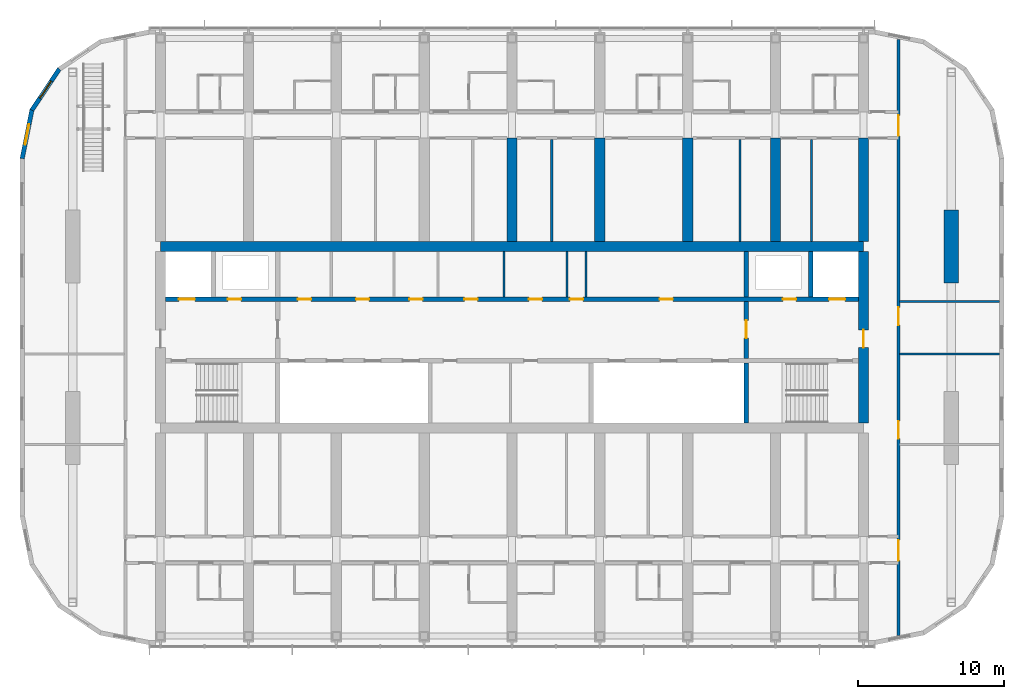
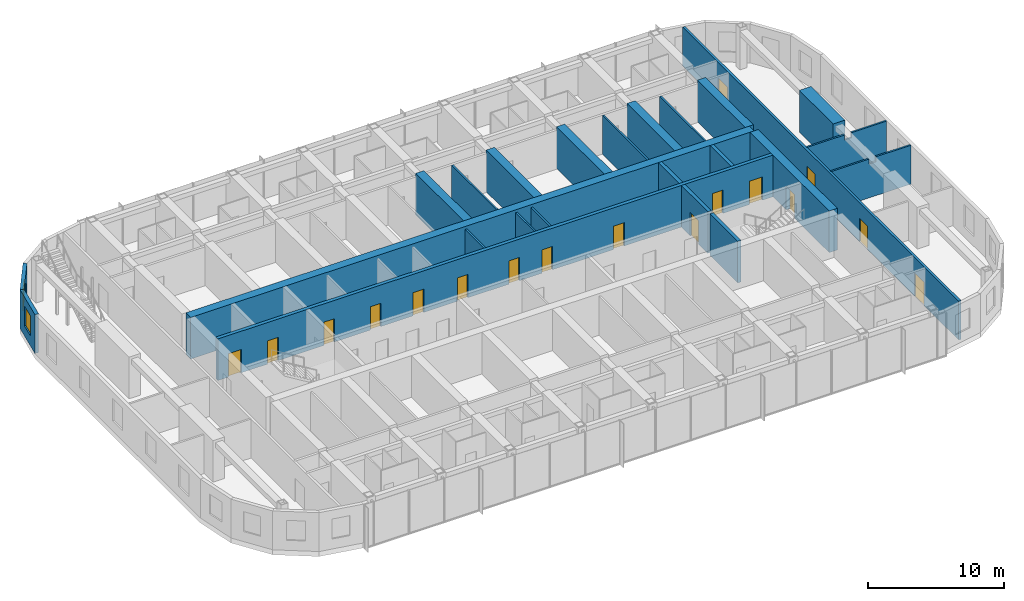
# One storey, part 16 of 26: 24 walls, 17 doors, 2 windows, 19 openings.
"""IFC4 building model written with IfcOpenShell, lengths in metres."""

from ifc_helpers import new_model, si_unit, direction, frame, frame_2d, origin, place, context, subcontext, project, spatial, polyline, rectangle, outline, extrude, material, layer, layer_set, type_object, element, fill, save


model = new_model("IFC4")

# Units and contexts
model_context = context("Model", 3, precision=1e-05, world=origin(), true_north=direction((0.0, 1.0)))
body_context = subcontext(model_context, "Body", "Model", "MODEL_VIEW")
ifc_project = project(units=[si_unit("LENGTHUNIT", "METRE"), si_unit("AREAUNIT", "SQUARE_METRE"), si_unit("VOLUMEUNIT", "CUBIC_METRE"), si_unit("PLANEANGLEUNIT", "RADIAN"), si_unit("MASSUNIT", "GRAM", prefix="KILO")], contexts=[model_context])

# Site, building, storey
site_placement = place(None, origin())
site = spatial("IfcSite", under=ifc_project, at=site_placement, CompositionType="ELEMENT")
building_placement = place(site_placement, origin())
building = spatial("IfcBuilding", under=site, at=building_placement, Name="Orbita Commons", CompositionType="ELEMENT")
storey_placement = place(building_placement, frame((0.0, 0.0, 231.550048828125)))
storey = spatial("IfcBuildingStorey", under=building, at=storey_placement, Name="L57", CompositionType="ELEMENT", Elevation=231.550048828125)

# Wall, openings, doors
ifc_material_1 = material(Name="Concrete C50/60", Category="concrete")
ifc_layer_1 = layer(ifc_material_1, 0.300048828125)
ifc_layer_set_1 = layer_set([ifc_layer_1], Name="Concrete C50/60")
wall_type_1 = type_object("IfcWallType", Name="Core inner wall 300 C50/60", PredefinedType="SHEAR", material=ifc_layer_set_1)
wall_1_placement = place(storey_placement, frame((18.35009765625, 34.60009765625, 0.0), z_axis=(0.0, 0.0, 1.0), x_axis=(1.0, 0.0, 0.0)))
wall_1 = element("IfcWall", 1, at=wall_1_placement, inside=storey, type_object=wall_type_1, Name="Lobby wall north L57", PredefinedType="SHEAR", context=body_context, shape_type="SweptSolid", body=[
    extrude(rectangle(XDim=47.2998046875, YDim=0.300048828125, at=frame_2d((23.64990234375, 0.0))), origin(), (0.0, 0.0, 1.0), 3.75),
])
opening_1_placement = place(wall_1_placement, frame((0.89990234375, 0.0, 0.0)))
opening_1 = element("IfcOpeningElement", 2, at=opening_1_placement, cuts=wall_1, Name="Opening LD01", PredefinedType="OPENING", context=body_context, shape_type="SweptSolid", body=[
    extrude(rectangle(XDim=1.10009765625, YDim=2.10009765625, at=frame_2d((0.550048828125, 1.050048828125))), frame((0.0, 0.159912109375, 0.0), z_axis=(0.0, -1.0, 0.0), x_axis=(1.0, 0.0, 0.0)), (0.0, 0.0, 1.0), 0.320068359375),
])
opening_2_placement = place(wall_1_placement, frame((45.300048828125, 0.0, 0.0)))
opening_2 = element("IfcOpeningElement", 3, at=opening_2_placement, cuts=wall_1, Name="Opening LD01", PredefinedType="OPENING", context=body_context, shape_type="SweptSolid", body=[
    extrude(rectangle(XDim=1.10009765625, YDim=2.10009765625, at=frame_2d((0.550048828125, 1.050048828125))), frame((0.0, 0.159912109375, 0.0), z_axis=(0.0, -1.0, 0.0), x_axis=(1.0, 0.0, 0.0)), (0.0, 0.0, 1.0), 0.320068359375),
])
opening_3_placement = place(wall_1_placement, frame((4.25, 0.0, 0.0)))
opening_3 = element("IfcOpeningElement", 4, at=opening_3_placement, cuts=wall_1, Name="Opening D03", PredefinedType="OPENING", context=body_context, shape_type="SweptSolid", body=[
    extrude(rectangle(XDim=0.89990234375, YDim=2.10009765625, at=frame_2d((0.449951171875, 1.050048828125))), frame((0.0, 0.159912109375, 0.0), z_axis=(0.0, -1.0, 0.0), x_axis=(1.0, 0.0, 0.0)), (0.0, 0.0, 1.0), 0.320068359375),
])
opening_4_placement = place(wall_1_placement, frame((42.14990234375, 0.0, 0.0)))
opening_4 = element("IfcOpeningElement", 5, at=opening_4_placement, cuts=wall_1, Name="Opening D03", PredefinedType="OPENING", context=body_context, shape_type="SweptSolid", body=[
    extrude(rectangle(XDim=0.89990234375, YDim=2.10009765625, at=frame_2d((0.449951171875, 1.050048828125))), frame((0.0, 0.159912109375, 0.0), z_axis=(0.0, -1.0, 0.0), x_axis=(1.0, 0.0, 0.0)), (0.0, 0.0, 1.0), 0.320068359375),
])
opening_5_placement = place(wall_1_placement, frame((9.025390625, 0.0, 0.0)))
opening_5 = element("IfcOpeningElement", 6, at=opening_5_placement, cuts=wall_1, Name="Opening D05", PredefinedType="OPENING", context=body_context, shape_type="SweptSolid", body=[
    extrude(rectangle(XDim=0.89990234375, YDim=2.10009765625, at=frame_2d((0.449951171875, 1.050048828125))), frame((0.0, 0.159912109375, 0.0), z_axis=(0.0, -1.0, 0.0), x_axis=(1.0, 0.0, 0.0)), (0.0, 0.0, 1.0), 0.320068359375),
])
opening_6_placement = place(wall_1_placement, frame((12.998779296875, 0.0, 0.0)))
opening_6 = element("IfcOpeningElement", 7, at=opening_6_placement, cuts=wall_1, Name="Opening D03", PredefinedType="OPENING", context=body_context, shape_type="SweptSolid", body=[
    extrude(rectangle(XDim=0.89990234375, YDim=2.10009765625, at=frame_2d((0.449951171875, 1.050048828125))), frame((0.0, 0.159912109375, 0.0), z_axis=(0.0, -1.0, 0.0), x_axis=(1.0, 0.0, 0.0)), (0.0, 0.0, 1.0), 0.320068359375),
])
opening_7_placement = place(wall_1_placement, frame((16.646240234375, 0.0, 0.0)))
opening_7 = element("IfcOpeningElement", 8, at=opening_7_placement, cuts=wall_1, Name="Opening D03", PredefinedType="OPENING", context=body_context, shape_type="SweptSolid", body=[
    extrude(rectangle(XDim=0.89990234375, YDim=2.10009765625, at=frame_2d((0.449951171875, 1.050048828125))), frame((0.0, 0.159912109375, 0.0), z_axis=(0.0, -1.0, 0.0), x_axis=(1.0, 0.0, 0.0)), (0.0, 0.0, 1.0), 0.320068359375),
])
opening_8_placement = place(wall_1_placement, frame((20.40478515625, 0.0, 0.0)))
opening_8 = element("IfcOpeningElement", 9, at=opening_8_placement, cuts=wall_1, Name="Opening D05", PredefinedType="OPENING", context=body_context, shape_type="SweptSolid", body=[
    extrude(rectangle(XDim=0.89990234375, YDim=2.10009765625, at=frame_2d((0.449951171875, 1.050048828125))), frame((0.0, 0.159912109375, 0.0), z_axis=(0.0, -1.0, 0.0), x_axis=(1.0, 0.0, 0.0)), (0.0, 0.0, 1.0), 0.320068359375),
])
opening_9_placement = place(wall_1_placement, frame((24.810791015625, 0.0, 0.0)))
opening_9 = element("IfcOpeningElement", 10, at=opening_9_placement, cuts=wall_1, Name="Opening D03", PredefinedType="OPENING", context=body_context, shape_type="SweptSolid", body=[
    extrude(rectangle(XDim=0.89990234375, YDim=2.10009765625, at=frame_2d((0.449951171875, 1.050048828125))), frame((0.0, 0.159912109375, 0.0), z_axis=(0.0, -1.0, 0.0), x_axis=(1.0, 0.0, 0.0)), (0.0, 0.0, 1.0), 0.320068359375),
])
opening_10_placement = place(wall_1_placement, frame((27.6083984375, 0.0, 0.0)))
opening_10 = element("IfcOpeningElement", 11, at=opening_10_placement, cuts=wall_1, Name="Opening D03", PredefinedType="OPENING", context=body_context, shape_type="SweptSolid", body=[
    extrude(rectangle(XDim=0.89990234375, YDim=2.10009765625, at=frame_2d((0.449951171875, 1.050048828125))), frame((0.0, 0.159912109375, 0.0), z_axis=(0.0, -1.0, 0.0), x_axis=(1.0, 0.0, 0.0)), (0.0, 0.0, 1.0), 0.320068359375),
])
opening_11_placement = place(wall_1_placement, frame((33.729248046875, 0.0, 0.0)))
opening_11 = element("IfcOpeningElement", 12, at=opening_11_placement, cuts=wall_1, Name="Opening D03", PredefinedType="OPENING", context=body_context, shape_type="SweptSolid", body=[
    extrude(rectangle(XDim=0.89990234375, YDim=2.10009765625, at=frame_2d((0.449951171875, 1.050048828125))), frame((0.0, 0.159912109375, 0.0), z_axis=(0.0, -1.0, 0.0), x_axis=(1.0, 0.0, 0.0)), (0.0, 0.0, 1.0), 0.320068359375),
])
ifc_material_2 = material(Name="Steel-faced fire door leaf", Category="steel")
door_type_1 = type_object("IfcDoorType", Name="Firefighting lift landing door 1100x2100", OperationType="DOUBLE_DOOR_SLIDING", PredefinedType="DOOR", material=ifc_material_2)
door_1_placement = place(opening_1_placement, origin())
door_1 = element("IfcDoor", 13, at=door_1_placement, inside=storey, type_object=door_type_1, Name="Firefighting lift FL1 landing door", OperationType="DOUBLE_DOOR_SLIDING", OverallHeight=2.10009765625, OverallWidth=1.10009765625, PredefinedType="DOOR", context=body_context, shape_type="SweptSolid", body=[
    extrude(rectangle(XDim=1.10009765625, YDim=2.10009765625, at=frame_2d((0.550048828125, 1.050048828125))), frame((0.0, 0.02490234375, 0.0), z_axis=(0.0, -1.0, 0.0), x_axis=(1.0, 0.0, 0.0)), (0.0, 0.0, 1.0), 0.050048828125),
])
fill(opening_1, door_1)
door_2_placement = place(opening_2_placement, origin())
door_2 = element("IfcDoor", 14, at=door_2_placement, inside=storey, type_object=door_type_1, Name="Firefighting lift FL2 landing door", OperationType="DOUBLE_DOOR_SLIDING", OverallHeight=2.10009765625, OverallWidth=1.10009765625, PredefinedType="DOOR", context=body_context, shape_type="SweptSolid", body=[
    extrude(rectangle(XDim=1.10009765625, YDim=2.10009765625, at=frame_2d((0.550048828125, 1.050048828125))), frame((0.0, 0.02490234375, 0.0), z_axis=(0.0, -1.0, 0.0), x_axis=(1.0, 0.0, 0.0)), (0.0, 0.0, 1.0), 0.050048828125),
])
fill(opening_2, door_2)
ifc_material_3 = material(Name="Steel-faced fire door leaf", Category="steel")
door_type_2 = type_object("IfcDoorType", Name="Service door 20 min 900x2100", OperationType="SINGLE_SWING_LEFT", PredefinedType="DOOR", material=ifc_material_3)
door_3_placement = place(opening_5_placement, origin())
door_3 = element("IfcDoor", 15, at=door_3_placement, inside=storey, type_object=door_type_2, Name="Staff WC door", OperationType="SINGLE_SWING_LEFT", OverallHeight=2.10009765625, OverallWidth=0.89990234375, PredefinedType="DOOR", context=body_context, shape_type="SweptSolid", body=[
    extrude(rectangle(XDim=0.89990234375, YDim=2.10009765625, at=frame_2d((0.449951171875, 1.050048828125))), frame((0.0, 0.02490234375, 0.0), z_axis=(0.0, -1.0, 0.0), x_axis=(1.0, 0.0, 0.0)), (0.0, 0.0, 1.0), 0.050048828125),
])
fill(opening_5, door_3)
door_4_placement = place(opening_8_placement, origin())
door_4 = element("IfcDoor", 16, at=door_4_placement, inside=storey, type_object=door_type_2, Name="Accessible WC door", OperationType="SINGLE_SWING_LEFT", OverallHeight=2.10009765625, OverallWidth=0.89990234375, PredefinedType="DOOR", context=body_context, shape_type="SweptSolid", body=[
    extrude(rectangle(XDim=0.89990234375, YDim=2.10009765625, at=frame_2d((0.449951171875, 1.050048828125))), frame((0.0, 0.02490234375, 0.0), z_axis=(0.0, -1.0, 0.0), x_axis=(1.0, 0.0, 0.0)), (0.0, 0.0, 1.0), 0.050048828125),
])
fill(opening_8, door_4)
ifc_material_4 = material(Name="Steel-faced fire door leaf", Category="steel")
door_type_3 = type_object("IfcDoorType", Name="Shaft access door 90 min 900x2100", OperationType="SINGLE_SWING_LEFT", PredefinedType="DOOR", material=ifc_material_4)
door_5_placement = place(opening_3_placement, origin())
door_5 = element("IfcDoor", 17, at=door_5_placement, inside=storey, type_object=door_type_3, Name="Riser door west", OperationType="SINGLE_SWING_LEFT", OverallHeight=2.10009765625, OverallWidth=0.89990234375, PredefinedType="DOOR", context=body_context, shape_type="SweptSolid", body=[
    extrude(rectangle(XDim=0.89990234375, YDim=2.10009765625, at=frame_2d((0.449951171875, 1.050048828125))), frame((0.0, 0.02490234375, 0.0), z_axis=(0.0, -1.0, 0.0), x_axis=(1.0, 0.0, 0.0)), (0.0, 0.0, 1.0), 0.050048828125),
])
fill(opening_3, door_5)
door_6_placement = place(opening_4_placement, origin())
door_6 = element("IfcDoor", 18, at=door_6_placement, inside=storey, type_object=door_type_3, Name="Riser door east", OperationType="SINGLE_SWING_LEFT", OverallHeight=2.10009765625, OverallWidth=0.89990234375, PredefinedType="DOOR", context=body_context, shape_type="SweptSolid", body=[
    extrude(rectangle(XDim=0.89990234375, YDim=2.10009765625, at=frame_2d((0.449951171875, 1.050048828125))), frame((0.0, 0.02490234375, 0.0), z_axis=(0.0, -1.0, 0.0), x_axis=(1.0, 0.0, 0.0)), (0.0, 0.0, 1.0), 0.050048828125),
])
fill(opening_4, door_6)
door_7_placement = place(opening_6_placement, origin())
door_7 = element("IfcDoor", 19, at=door_7_placement, inside=storey, type_object=door_type_3, Name="Refuse chute room door", OperationType="SINGLE_SWING_LEFT", OverallHeight=2.10009765625, OverallWidth=0.89990234375, PredefinedType="DOOR", context=body_context, shape_type="SweptSolid", body=[
    extrude(rectangle(XDim=0.89990234375, YDim=2.10009765625, at=frame_2d((0.449951171875, 1.050048828125))), frame((0.0, 0.02490234375, 0.0), z_axis=(0.0, -1.0, 0.0), x_axis=(1.0, 0.0, 0.0)), (0.0, 0.0, 1.0), 0.050048828125),
])
fill(opening_6, door_7)
door_8_placement = place(opening_7_placement, origin())
door_8 = element("IfcDoor", 20, at=door_8_placement, inside=storey, type_object=door_type_3, Name="Electrical riser room door", OperationType="SINGLE_SWING_LEFT", OverallHeight=2.10009765625, OverallWidth=0.89990234375, PredefinedType="DOOR", context=body_context, shape_type="SweptSolid", body=[
    extrude(rectangle(XDim=0.89990234375, YDim=2.10009765625, at=frame_2d((0.449951171875, 1.050048828125))), frame((0.0, 0.02490234375, 0.0), z_axis=(0.0, -1.0, 0.0), x_axis=(1.0, 0.0, 0.0)), (0.0, 0.0, 1.0), 0.050048828125),
])
fill(opening_7, door_8)
door_9_placement = place(opening_9_placement, origin())
door_9 = element("IfcDoor", 21, at=door_9_placement, inside=storey, type_object=door_type_3, Name="Communications room door", OperationType="SINGLE_SWING_LEFT", OverallHeight=2.10009765625, OverallWidth=0.89990234375, PredefinedType="DOOR", context=body_context, shape_type="SweptSolid", body=[
    extrude(rectangle(XDim=0.89990234375, YDim=2.10009765625, at=frame_2d((0.449951171875, 1.050048828125))), frame((0.0, 0.02490234375, 0.0), z_axis=(0.0, -1.0, 0.0), x_axis=(1.0, 0.0, 0.0)), (0.0, 0.0, 1.0), 0.050048828125),
])
fill(opening_9, door_9)
door_10_placement = place(opening_10_placement, origin())
door_10 = element("IfcDoor", 22, at=door_10_placement, inside=storey, type_object=door_type_3, Name="Stair pressurisation duct door", OperationType="SINGLE_SWING_LEFT", OverallHeight=2.10009765625, OverallWidth=0.89990234375, PredefinedType="DOOR", context=body_context, shape_type="SweptSolid", body=[
    extrude(rectangle(XDim=0.89990234375, YDim=2.10009765625, at=frame_2d((0.449951171875, 1.050048828125))), frame((0.0, 0.02490234375, 0.0), z_axis=(0.0, -1.0, 0.0), x_axis=(1.0, 0.0, 0.0)), (0.0, 0.0, 1.0), 0.050048828125),
])
fill(opening_10, door_10)
door_11_placement = place(opening_11_placement, origin())
door_11 = element("IfcDoor", 23, at=door_11_placement, inside=storey, type_object=door_type_3, Name="Linen and housekeeping store door", OperationType="SINGLE_SWING_LEFT", OverallHeight=2.10009765625, OverallWidth=0.89990234375, PredefinedType="DOOR", context=body_context, shape_type="SweptSolid", body=[
    extrude(rectangle(XDim=0.89990234375, YDim=2.10009765625, at=frame_2d((0.449951171875, 1.050048828125))), frame((0.0, 0.02490234375, 0.0), z_axis=(0.0, -1.0, 0.0), x_axis=(1.0, 0.0, 0.0)), (0.0, 0.0, 1.0), 0.050048828125),
])
fill(opening_11, door_11)

# Wall
wall_2_placement = place(storey_placement, frame((58.0, 26.14990234375, 0.0), z_axis=(0.0, 0.0, 1.0), x_axis=(0.0, 1.0, 0.0)))
element("IfcWall", 24, at=wall_2_placement, inside=storey, type_object=wall_type_1, Name="Stair S2 wall L57", PredefinedType="SHEAR", context=body_context, shape_type="SweptSolid", body=[
    extrude(rectangle(XDim=4.10009765625, YDim=0.300048828125, at=frame_2d((2.050048828125, 0.0))), origin(), (0.0, 0.0, 1.0), 3.75),
])

# Wall, opening, door
wall_3_placement = place(storey_placement, frame((58.0, 30.550048828125, 0.0), z_axis=(0.0, 0.0, 1.0), x_axis=(0.0, 1.0, 0.0)))
wall_3 = element("IfcWall", 25, at=wall_3_placement, inside=storey, type_object=wall_type_1, Name="Firefighting lobby wall east L57", PredefinedType="SHEAR", context=body_context, shape_type="SweptSolid", body=[
    extrude(rectangle(XDim=3.89990234375, YDim=0.300048828125, at=frame_2d((1.949951171875, 0.0))), origin(), (0.0, 0.0, 1.0), 3.75),
])
opening_12_placement = place(wall_3_placement, frame((1.39990234375, 0.0, 0.0)))
opening_12 = element("IfcOpeningElement", 26, at=opening_12_placement, cuts=wall_3, Name="Opening D04", PredefinedType="OPENING", context=body_context, shape_type="SweptSolid", body=[
    extrude(rectangle(XDim=1.199951171875, YDim=2.10009765625, at=frame_2d((0.60009765625, 1.050048828125))), frame((0.0, 0.159912109375, 0.0), z_axis=(0.0, -1.0, 0.0), x_axis=(1.0, 0.0, 0.0)), (0.0, 0.0, 1.0), 0.320068359375),
])
ifc_material_5 = material(Name="Steel-faced fire door leaf", Category="steel")
door_type_4 = type_object("IfcDoorType", Name="Service door 20 min 1200x2100", OperationType="SINGLE_SWING_LEFT", PredefinedType="DOOR", material=ifc_material_5)
door_12_placement = place(opening_12_placement, origin())
door_12 = element("IfcDoor", 27, at=door_12_placement, inside=storey, type_object=door_type_4, Name="Lift lobby door east", OperationType="SINGLE_SWING_LEFT", OverallHeight=2.10009765625, OverallWidth=1.199951171875, PredefinedType="DOOR", context=body_context, shape_type="SweptSolid", body=[
    extrude(rectangle(XDim=1.199951171875, YDim=2.10009765625, at=frame_2d((0.60009765625, 1.050048828125))), frame((0.0, 0.02490234375, 0.0), z_axis=(0.0, -1.0, 0.0), x_axis=(1.0, 0.0, 0.0)), (0.0, 0.0, 1.0), 0.050048828125),
])
fill(opening_12, door_12)

# Walls
for number, where, z_axis, x_axis, name in (
    (28, (62.39990234375, 34.75, 0.0), (0.0, 0.0, 1.0), (0.0, 1.0, 0.0), "Firefighting lift FL2 shaft wall L57"),
    (29, (58.0, 34.75, 0.0), (0.0, 0.0, 1.0), (0.0, 1.0, 0.0), "Riser wall east L57"),
):
    element("IfcWall", number, at=place(storey_placement, frame(where, z_axis=z_axis, x_axis=x_axis)), inside=storey, type_object=wall_type_1, Name=name, PredefinedType="SHEAR", context=body_context, shape_type="SweptSolid", body=[
        extrude(rectangle(XDim=3.10009765625, YDim=0.300048828125, at=frame_2d((1.550048828125, 0.0))), origin(), (0.0, 0.0, 1.0), 3.75),
    ])
ifc_material_6 = material(Name="Concrete blockwork", Category="masonry")
ifc_layer_2 = layer(ifc_material_6, 0.14990234375)
ifc_layer_set_2 = layer_set([ifc_layer_2], Name="Concrete blockwork")
wall_type_2 = type_object("IfcWallType", Name="Core partition 150 blockwork", PredefinedType="SOLIDWALL", material=ifc_layer_set_2)
for number, where, z_axis, x_axis, name in (
    (30, (41.463134765625, 34.75, 0.0), (0.0, 0.0, 1.0), (0.0, 1.0, 0.0), "Core partition 150 blockwork L57"),
    (31, (45.75830078125, 34.75, 0.0), (0.0, 0.0, 1.0), (0.0, 1.0, 0.0), "Core partition 150 blockwork L57"),
    (32, (47.058349609375, 34.75, 0.0), (0.0, 0.0, 1.0), (0.0, 1.0, 0.0), "Core partition 150 blockwork L57"),
):
    element("IfcWall", number, at=place(storey_placement, frame(where, z_axis=z_axis, x_axis=x_axis)), inside=storey, type_object=wall_type_2, Name=name, PredefinedType="SOLIDWALL", context=body_context, shape_type="SweptSolid", body=[
        extrude(rectangle(XDim=3.10009765625, YDim=0.14990234375, at=frame_2d((1.550048828125, 0.0))), origin(), (0.0, 0.0, 1.0), 3.5),
    ])
ifc_material_7 = material(Name="Concrete C50/60", Category="concrete")
ifc_layer_3 = layer(ifc_material_7, 0.699951171875)
ifc_layer_set_3 = layer_set([ifc_layer_3], Name="Concrete C50/60")
wall_type_3 = type_object("IfcWallType", Name="Core wall 700 C50/60", PredefinedType="SHEAR", material=ifc_layer_set_3)
wall_4_placement = place(storey_placement, frame((18.0, 38.199951171875, 0.0), z_axis=(0.0, 0.0, 1.0), x_axis=(1.0, 0.0, 0.0)))
element("IfcWall", 33, at=wall_4_placement, inside=storey, type_object=wall_type_3, Name="Core spine wall north L57", PredefinedType="SHEAR", context=body_context, shape_type="SweptSolid", body=[
    extrude(rectangle(XDim=48.0, YDim=0.699951171875, at=frame_2d((24.0, 0.0))), origin(), (0.0, 0.0, 1.0), 3.75),
])

# Wall, opening, door
wall_5_placement = place(storey_placement, frame((66.0, 26.14990234375, 0.0), z_axis=(0.0, 0.0, 1.0), x_axis=(0.0, 1.0, 0.0)))
wall_5 = element("IfcWall", 34, at=wall_5_placement, inside=storey, type_object=wall_type_3, Name="Core end wall east L57", PredefinedType="SHEAR", context=body_context, shape_type="SweptSolid", body=[
    extrude(rectangle(XDim=11.7001953125, YDim=0.699951171875, at=frame_2d((5.85009765625, 0.0))), origin(), (0.0, 0.0, 1.0), 3.75),
])
opening_13_placement = place(wall_5_placement, frame((5.14990234375, 0.0, 0.0)))
opening_13 = element("IfcOpeningElement", 35, at=opening_13_placement, cuts=wall_5, Name="Opening D01", PredefinedType="OPENING", context=body_context, shape_type="SweptSolid", body=[
    extrude(rectangle(XDim=1.199951171875, YDim=2.10009765625, at=frame_2d((0.60009765625, 1.050048828125))), frame((0.0, 0.35986328125, 0.0), z_axis=(0.0, -1.0, 0.0), x_axis=(1.0, 0.0, 0.0)), (0.0, 0.0, 1.0), 0.719970703125),
])
ifc_material_8 = material(Name="Steel-faced fire door leaf", Category="steel")
door_type_5 = type_object("IfcDoorType", Name="Fire door 90 min 1200x2100", OperationType="SINGLE_SWING_LEFT", PredefinedType="DOOR", material=ifc_material_8)
door_13_placement = place(opening_13_placement, origin())
door_13 = element("IfcDoor", 36, at=door_13_placement, inside=storey, type_object=door_type_5, Name="Firefighting lobby east door", OperationType="SINGLE_SWING_LEFT", OverallHeight=2.10009765625, OverallWidth=1.199951171875, PredefinedType="DOOR", context=body_context, shape_type="SweptSolid", body=[
    extrude(rectangle(XDim=1.199951171875, YDim=2.10009765625, at=frame_2d((0.60009765625, 1.050048828125))), frame((0.0, 0.02490234375, 0.0), z_axis=(0.0, -1.0, 0.0), x_axis=(1.0, 0.0, 0.0)), (0.0, 0.0, 1.0), 0.050048828125),
])
fill(opening_13, door_13)

# Wall, openings, doors
ifc_material_9 = material(Name="Concrete blockwork", Category="masonry")
ifc_layer_4 = layer(ifc_material_9, 0.199951171875)
ifc_layer_set_4 = layer_set([ifc_layer_4], Name="Concrete blockwork")
wall_type_4 = type_object("IfcWallType", Name="Corridor wall 200 blockwork", PredefinedType="SOLIDWALL", material=ifc_layer_set_4)
wall_6_placement = place(storey_placement, frame((68.39990234375, 11.646240234375, 0.0), z_axis=(0.0, 0.0, 1.0), x_axis=(0.0, 1.0, 0.0)))
wall_6 = element("IfcWall", 37, at=wall_6_placement, inside=storey, type_object=wall_type_4, Name="Corridor wall 200 blockwork L57", PredefinedType="SOLIDWALL", context=body_context, shape_type="SweptSolid", body=[
    extrude(rectangle(XDim=40.70751953125, YDim=0.199951171875, at=frame_2d((20.353759765625, 0.0))), origin(), (0.0, 0.0, 1.0), 3.5),
])
opening_14_placement = place(wall_6_placement, frame((13.433837890625, 0.0, 0.0)))
opening_14 = element("IfcOpeningElement", 38, at=opening_14_placement, cuts=wall_6, Name="Opening D15", PredefinedType="OPENING", context=body_context, shape_type="SweptSolid", body=[
    extrude(rectangle(XDim=1.199951171875, YDim=2.10009765625, at=frame_2d((0.60009765625, 1.050048828125))), frame((0.0, 0.10986328125, 0.0), z_axis=(0.0, -1.0, 0.0), x_axis=(1.0, 0.0, 0.0)), (0.0, 0.0, 1.0), 0.219970703125),
])
opening_15_placement = place(wall_6_placement, frame((21.19384765625, 0.0, 0.0)))
opening_15 = element("IfcOpeningElement", 39, at=opening_15_placement, cuts=wall_6, Name="Opening D15", PredefinedType="OPENING", context=body_context, shape_type="SweptSolid", body=[
    extrude(rectangle(XDim=1.199951171875, YDim=2.10009765625, at=frame_2d((0.60009765625, 1.050048828125))), frame((0.0, 0.10986328125, 0.0), z_axis=(0.0, -1.0, 0.0), x_axis=(1.0, 0.0, 0.0)), (0.0, 0.0, 1.0), 0.219970703125),
])
opening_16_placement = place(wall_6_placement, frame((5.103759765625, 0.0, 0.0)))
opening_16 = element("IfcOpeningElement", 40, at=opening_16_placement, cuts=wall_6, Name="Opening D08", PredefinedType="OPENING", context=body_context, shape_type="SweptSolid", body=[
    extrude(rectangle(XDim=1.39990234375, YDim=2.10009765625, at=frame_2d((0.699951171875, 1.050048828125))), frame((0.0, 0.10986328125, 0.0), z_axis=(0.0, -1.0, 0.0), x_axis=(1.0, 0.0, 0.0)), (0.0, 0.0, 1.0), 0.219970703125),
])
opening_17_placement = place(wall_6_placement, frame((34.103759765625, 0.0, 0.0)))
opening_17 = element("IfcOpeningElement", 41, at=opening_17_placement, cuts=wall_6, Name="Opening D08", PredefinedType="OPENING", context=body_context, shape_type="SweptSolid", body=[
    extrude(rectangle(XDim=1.39990234375, YDim=2.10009765625, at=frame_2d((0.699951171875, 1.050048828125))), frame((0.0, 0.10986328125, 0.0), z_axis=(0.0, -1.0, 0.0), x_axis=(1.0, 0.0, 0.0)), (0.0, 0.0, 1.0), 0.219970703125),
])
ifc_material_10 = material(Name="Steel-faced fire door leaf", Category="steel")
door_type_6 = type_object("IfcDoorType", Name="Corridor door 20 min 1200x2100", OperationType="SINGLE_SWING_LEFT", PredefinedType="DOOR", material=ifc_material_10)
door_14_placement = place(opening_14_placement, origin())
door_14 = element("IfcDoor", 42, at=door_14_placement, inside=storey, type_object=door_type_6, Name="Floor kitchen door", OperationType="SINGLE_SWING_LEFT", OverallHeight=2.10009765625, OverallWidth=1.199951171875, PredefinedType="DOOR", context=body_context, shape_type="SweptSolid", body=[
    extrude(rectangle(XDim=1.199951171875, YDim=2.10009765625, at=frame_2d((0.60009765625, 1.050048828125))), frame((0.0, 0.02490234375, 0.0), z_axis=(0.0, -1.0, 0.0), x_axis=(1.0, 0.0, 0.0)), (0.0, 0.0, 1.0), 0.050048828125),
])
fill(opening_14, door_14)
door_15_placement = place(opening_15_placement, origin())
door_15 = element("IfcDoor", 43, at=door_15_placement, inside=storey, type_object=door_type_6, Name="Study commons door", OperationType="SINGLE_SWING_LEFT", OverallHeight=2.10009765625, OverallWidth=1.199951171875, PredefinedType="DOOR", context=body_context, shape_type="SweptSolid", body=[
    extrude(rectangle(XDim=1.199951171875, YDim=2.10009765625, at=frame_2d((0.60009765625, 1.050048828125))), frame((0.0, 0.02490234375, 0.0), z_axis=(0.0, -1.0, 0.0), x_axis=(1.0, 0.0, 0.0)), (0.0, 0.0, 1.0), 0.050048828125),
])
fill(opening_15, door_15)
ifc_material_11 = material(Name="Steel-faced fire door leaf", Category="steel")
door_type_7 = type_object("IfcDoorType", Name="Double corridor door 20 min 1400x2100", OperationType="DOUBLE_DOOR_SINGLE_SWING", PredefinedType="DOOR", material=ifc_material_11)
door_16_placement = place(opening_16_placement, origin())
door_16 = element("IfcDoor", 44, at=door_16_placement, inside=storey, type_object=door_type_7, Name="Lounge doors", OperationType="DOUBLE_DOOR_SINGLE_SWING", OverallHeight=2.10009765625, OverallWidth=1.39990234375, PredefinedType="DOOR", context=body_context, shape_type="SweptSolid", body=[
    extrude(rectangle(XDim=1.39990234375, YDim=2.10009765625, at=frame_2d((0.699951171875, 1.050048828125))), frame((0.0, 0.02490234375, 0.0), z_axis=(0.0, -1.0, 0.0), x_axis=(1.0, 0.0, 0.0)), (0.0, 0.0, 1.0), 0.050048828125),
])
fill(opening_16, door_16)
door_17_placement = place(opening_17_placement, origin())
door_17 = element("IfcDoor", 45, at=door_17_placement, inside=storey, type_object=door_type_7, Name="Lounge doors", OperationType="DOUBLE_DOOR_SINGLE_SWING", OverallHeight=2.10009765625, OverallWidth=1.39990234375, PredefinedType="DOOR", context=body_context, shape_type="SweptSolid", body=[
    extrude(rectangle(XDim=1.39990234375, YDim=2.10009765625, at=frame_2d((0.699951171875, 1.050048828125))), frame((0.0, 0.02490234375, 0.0), z_axis=(0.0, -1.0, 0.0), x_axis=(1.0, 0.0, 0.0)), (0.0, 0.0, 1.0), 0.050048828125),
])
fill(opening_17, door_17)

# Walls
ifc_material_12 = material(Name="Concrete C50/60", Category="concrete")
ifc_layer_5 = layer(ifc_material_12, 0.699951171875)
ifc_layer_set_5 = layer_set([ifc_layer_5], Name="Concrete C50/60")
wall_type_5 = type_object("IfcWallType", Name="Cross wall 700 C50/60", PredefinedType="SHEAR", material=ifc_layer_set_5)
for number, where, z_axis, x_axis, name in (
    (46, (42.0, 38.550048828125, 0.0), (0.0, 0.0, 1.0), (0.0, 1.0, 0.0), "Cross wall 8 north inner L57"),
    (47, (48.0, 38.550048828125, 0.0), (0.0, 0.0, 1.0), (0.0, 1.0, 0.0), "Cross wall 9 north inner L57"),
    (48, (54.0, 38.550048828125, 0.0), (0.0, 0.0, 1.0), (0.0, 1.0, 0.0), "Cross wall 10 north inner L57"),
    (49, (60.0, 38.550048828125, 0.0), (0.0, 0.0, 1.0), (0.0, 1.0, 0.0), "Cross wall 11 north inner L57"),
    (50, (66.0, 38.550048828125, 0.0), (0.0, 0.0, 1.0), (0.0, 1.0, 0.0), "Cross wall 12 north inner L57"),
):
    element("IfcWall", number, at=place(storey_placement, frame(where, z_axis=z_axis, x_axis=x_axis)), inside=storey, type_object=wall_type_5, Name=name, PredefinedType="SHEAR", context=body_context, shape_type="SweptSolid", body=[
        extrude(rectangle(XDim=7.050048828125, YDim=0.699951171875, at=frame_2d((3.52490234375, 0.0))), origin(), (0.0, 0.0, 1.0), 3.75),
    ])
ifc_material_13 = material(Name="Concrete C50/60", Category="concrete")
ifc_layer_6 = layer(ifc_material_13, 1.0)
ifc_layer_set_6 = layer_set([ifc_layer_6], Name="Concrete C50/60")
wall_type_6 = type_object("IfcWallType", Name="End pier 1000x5000 C50/60", PredefinedType="SHEAR", material=ifc_layer_set_6)
wall_7_placement = place(storey_placement, frame((72.0, 35.699951171875, 0.0), z_axis=(0.0, 0.0, 1.0), x_axis=(0.0, 1.0, 0.0)))
element("IfcWall", 51, at=wall_7_placement, inside=storey, type_object=wall_type_6, Name="End pier 13/D L57", PredefinedType="SHEAR", context=body_context, shape_type="SweptSolid", body=[
    extrude(rectangle(XDim=5.0, YDim=1.0, at=frame_2d((2.5, 0.0))), origin(), (0.0, 0.0, 1.0), 3.75),
])
ifc_material_14 = material(Name="Gypsum plasterboard on steel studs", Category="steel")
ifc_layer_7 = layer(ifc_material_14, 0.14990234375)
ifc_layer_set_7 = layer_set([ifc_layer_7], Name="Gypsum plasterboard on steel studs")
wall_type_7 = type_object("IfcWallType", Name="Partition 150 plasterboard", PredefinedType="PARTITIONING", material=ifc_layer_set_7)
for number, where, z_axis, x_axis, name in (
    (52, (44.719970703125, 38.550048828125, 0.0), (0.0, 0.0, 1.0), (0.0, 1.0, 0.0), "Partition 150 plasterboard L57"),
    (53, (57.56494140625, 38.550048828125, 0.0), (0.0, 0.0, 1.0), (0.0, 1.0, 0.0), "Partition 150 plasterboard L57"),
    (54, (62.445068359375, 38.550048828125, 0.0), (0.0, 0.0, 1.0), (0.0, 1.0, 0.0), "Partition 150 plasterboard L57"),
):
    element("IfcWall", number, at=place(storey_placement, frame(where, z_axis=z_axis, x_axis=x_axis)), inside=storey, type_object=wall_type_7, Name=name, PredefinedType="PARTITIONING", context=body_context, shape_type="SweptSolid", body=[
        extrude(rectangle(XDim=6.949951171875, YDim=0.14990234375, at=frame_2d((3.47509765625, 0.0))), origin(), (0.0, 0.0, 1.0), 3.5),
    ])
for number, where, z_axis, x_axis, name in (
    (55, (68.47509765625, 30.85009765625, 0.0), (0.0, 0.0, 1.0), (1.0, 0.0, 0.0), "Partition 150 plasterboard L57"),
    (56, (68.47509765625, 34.43994140625, 0.0), (0.0, 0.0, 1.0), (1.0, 0.0, 0.0), "Partition 150 plasterboard L57"),
):
    element("IfcWall", number, at=place(storey_placement, frame(where, z_axis=z_axis, x_axis=x_axis)), inside=storey, type_object=wall_type_7, Name=name, PredefinedType="PARTITIONING", context=body_context, shape_type="SweptSolid", body=[
        extrude(outline(polyline([(0.0, 0.0), (6.81982421875, 0.0), (6.820068359375, 3.5), (3.826904296875, 3.5), (3.824951171875, 3.050048828125), (3.22705078125, 3.050048828125), (3.22509765625, 3.5), (0.0, 3.5), (0.0, 0.0)])), frame((0.0, 0.074951171875, 0.0), z_axis=(0.0, -1.0, 0.0), x_axis=(1.0, 0.0, 0.0)), (0.0, 0.0, 1.0), 0.14990234375),
    ])

# Wall, opening, window
ifc_material_15 = material(Name="Precast concrete C40/50, white board-marked finish", Category="concrete")
ifc_layer_8 = layer(ifc_material_15, 0.300048828125)
ifc_layer_set_8 = layer_set([ifc_layer_8], Name="Precast concrete C40/50, white board-marked finish")
wall_type_8 = type_object("IfcWallType", Name="Precast concrete end shield 300", PredefinedType="SOLIDWALL", material=ifc_layer_set_8)
wall_8_placement = place(storey_placement, frame((11.08349609375, 50.31640625, 0.0), z_axis=(0.0, 0.0, 1.0), x_axis=(-0.555567969291, -0.831471124873, 0.0)))
wall_8 = element("IfcWall", 57, at=wall_8_placement, inside=storey, type_object=wall_type_8, Name="End shield NW chord 3 L57", PredefinedType="SOLIDWALL", context=body_context, shape_type="SweptSolid", body=[
    extrude(outline(polyline([(-0.02978515625, -0.14990234375), (3.40478515625, -0.14990234375), (3.34521484375, 0.14990234375), (0.02978515625, 0.14990234375), (-0.02978515625, -0.14990234375)])), origin(), (0.0, 0.0, 1.0), 3.5),
])
opening_18_placement = place(wall_8_placement, frame((0.987548828125, 0.0, 0.89990234375)))
opening_18 = element("IfcOpeningElement", 58, at=opening_18_placement, cuts=wall_8, Name="Opening W02", PredefinedType="OPENING", context=body_context, shape_type="SweptSolid", body=[
    extrude(rectangle(XDim=1.39990234375, YDim=1.800048828125, at=frame_2d((0.699951171875, 0.89990234375))), frame((0.0, 0.159912109375, 0.0), z_axis=(0.0, -1.0, 0.0), x_axis=(1.0, 0.0, 0.0)), (0.0, 0.0, 1.0), 0.320068359375),
])
ifc_material_16 = material(Name="Aluminium frame, clear double glazing", Category="aluminium")
window_type = type_object("IfcWindowType", Name="Deep-set window 1400x1800", PartitioningType="SINGLE_PANEL", PredefinedType="WINDOW", material=ifc_material_16)
window_1_placement = place(opening_18_placement, origin())
window_1 = element("IfcWindow", 59, at=window_1_placement, inside=storey, type_object=window_type, Name="Window L57-NW2", OverallHeight=1.800048828125, OverallWidth=1.39990234375, PartitioningType="SINGLE_PANEL", PredefinedType="WINDOW", context=body_context, shape_type="SweptSolid", body=[
    extrude(rectangle(XDim=1.39990234375, YDim=1.800048828125, at=frame_2d((0.699951171875, 0.89990234375))), frame((0.0, 0.030029296875, 0.0), z_axis=(0.0, -1.0, 0.0), x_axis=(1.0, 0.0, 0.0)), (0.0, 0.0, 1.0), 0.06005859375),
])
fill(opening_18, window_1)

wall_9_placement = place(storey_placement, frame((9.20849609375, 47.51025390625, 0.0), z_axis=(0.0, 0.0, 1.0), x_axis=(-0.19508664885, -0.980786011034, 0.0)))
wall_9 = element("IfcWall", 60, at=wall_9_placement, inside=storey, type_object=wall_type_8, Name="End shield NW chord 4 L57", PredefinedType="SOLIDWALL", context=body_context, shape_type="SweptSolid", body=[
    extrude(outline(polyline([(-0.02978515625, -0.14990234375), (3.39013671875, -0.14990234375), (3.3603515625, 0.14990234375), (0.02978515625, 0.14990234375), (-0.02978515625, -0.14990234375)])), origin(), (0.0, 0.0, 1.0), 3.5),
])
opening_19_placement = place(wall_9_placement, frame((0.987548828125, 0.0, 0.89990234375)))
opening_19 = element("IfcOpeningElement", 61, at=opening_19_placement, cuts=wall_9, Name="Opening W02", PredefinedType="OPENING", context=body_context, shape_type="SweptSolid", body=[
    extrude(rectangle(XDim=1.39990234375, YDim=1.800048828125, at=frame_2d((0.699951171875, 0.89990234375))), frame((0.0, 0.159912109375, 0.0), z_axis=(0.0, -1.0, 0.0), x_axis=(1.0, 0.0, 0.0)), (0.0, 0.0, 1.0), 0.320068359375),
])
window_2_placement = place(opening_19_placement, origin())
window_2 = element("IfcWindow", 62, at=window_2_placement, inside=storey, type_object=window_type, Name="Window L57-NW3", OverallHeight=1.800048828125, OverallWidth=1.39990234375, PartitioningType="SINGLE_PANEL", PredefinedType="WINDOW", context=body_context, shape_type="SweptSolid", body=[
    extrude(rectangle(XDim=1.39990234375, YDim=1.800048828125, at=frame_2d((0.699951171875, 0.89990234375))), frame((0.0, 0.030029296875, 0.0), z_axis=(0.0, -1.0, 0.0), x_axis=(1.0, 0.0, 0.0)), (0.0, 0.0, 1.0), 0.06005859375),
])
fill(opening_19, window_2)

save(model, "model.ifc")
